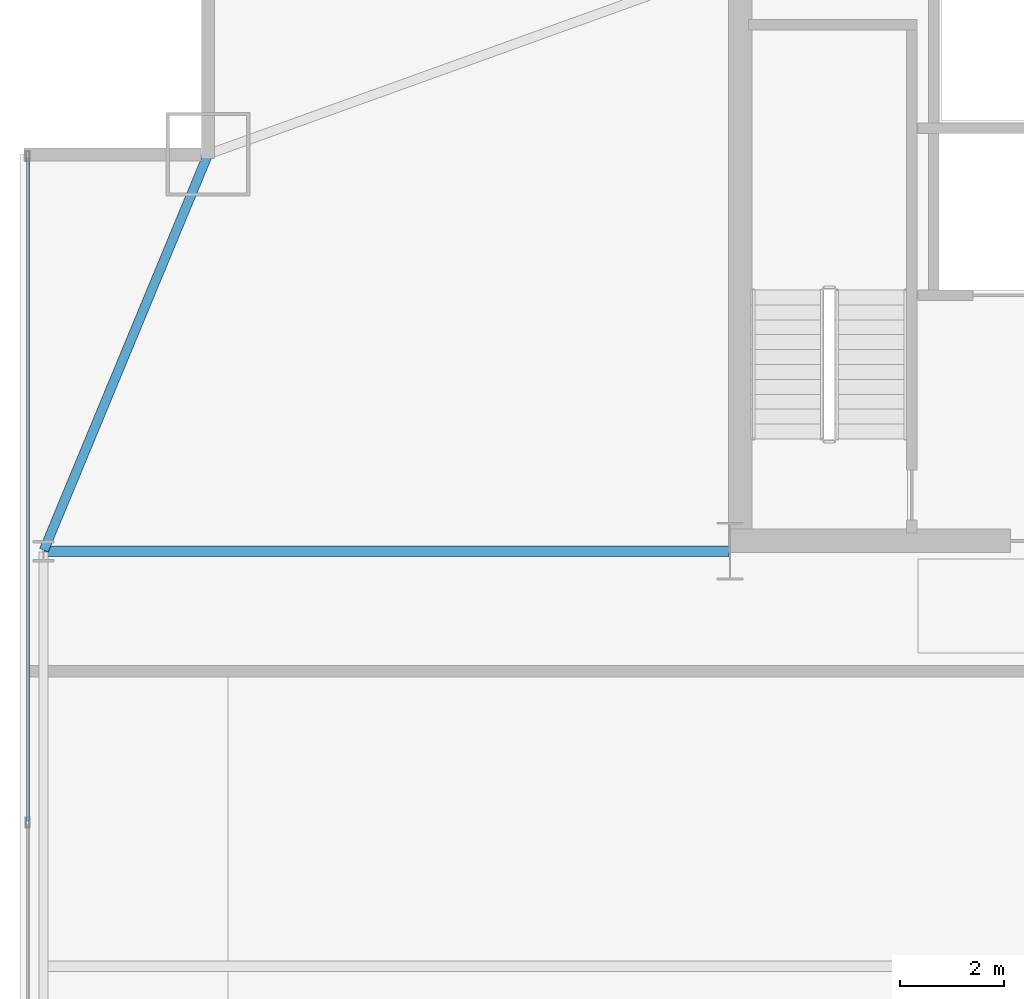
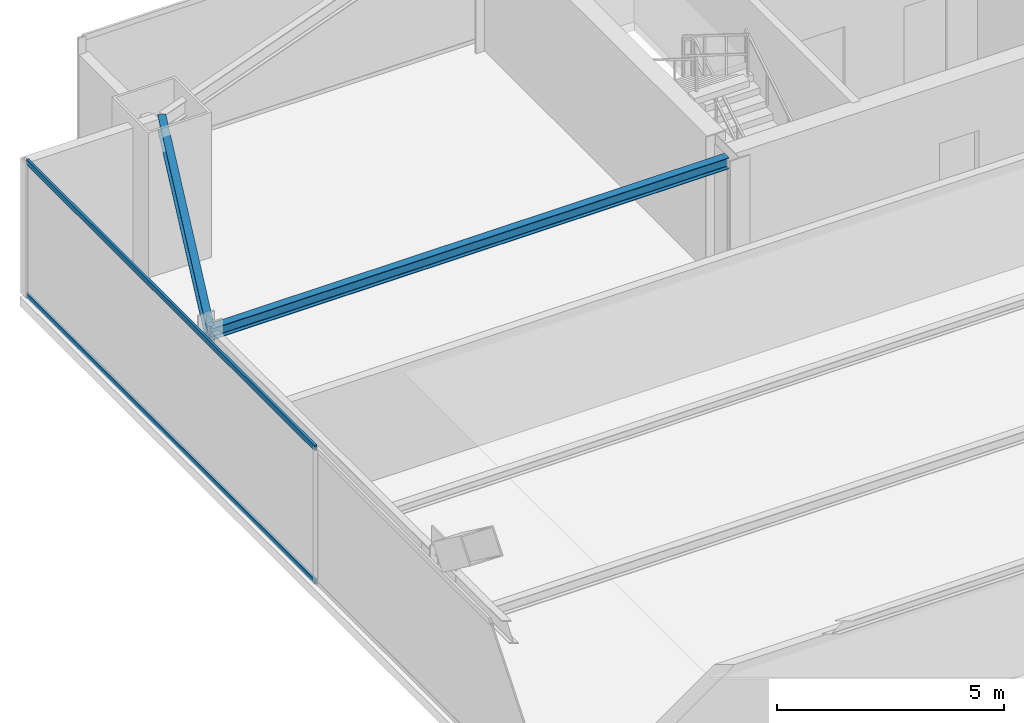
# One storey, part 19 of 34: 2 beams, 2 members, 1 element without a shape of its own.
"""IFC4 building model written with IfcOpenShell, lengths in metres."""

from ifc_helpers import new_model, si_unit, direction, frame, origin, origin_2d, place, context, subcontext, project, spatial, hollow_rectangle, i_section, extrude, source, transform, mapped, material, layer, layer_set, material_profile, profile_set, type_object, type_shapes, element, aggregate, save


model = new_model("IFC4")

# Units and contexts
model_context = context("Model", 3, precision=1e-05, world=origin(), true_north=direction((0.0, 1.0)))
body_context = subcontext(model_context, "Body", "Model", "MODEL_VIEW")
ifc_project = project(units=[si_unit("LENGTHUNIT", "METRE"), si_unit("AREAUNIT", "SQUARE_METRE"), si_unit("VOLUMEUNIT", "CUBIC_METRE"), si_unit("PLANEANGLEUNIT", "RADIAN"), si_unit("MASSUNIT", "GRAM", prefix="KILO")], contexts=[model_context])

# Site, building, storey
site_placement = place(None, origin())
site = spatial("IfcSite", under=ifc_project, at=site_placement, CompositionType="ELEMENT")
building_placement = place(site_placement, origin())
building = spatial("IfcBuilding", under=site, at=building_placement, Name="Varnel Quay Broadcast Tower", CompositionType="ELEMENT")
storey_placement = place(building_placement, frame((0.0, 0.0, 47.10009765625)))
storey = spatial("IfcBuildingStorey", under=building, at=storey_placement, Name="L10", CompositionType="ELEMENT", Elevation=47.10009765625)

# Beams
ifc_material_1 = material(Name="Structural Steel CSA G40.21 350W", Category="steel")
ifc_material_profile_1 = material_profile(ifc_material_1, i_section(OverallWidth=0.180908203125, OverallDepth=0.4169921875, WebThickness=0.010986328125, FlangeThickness=0.018310546875, FilletRadius=0.011962890625, at=origin_2d()), Name="W410X85")
ifc_profile_set_1 = profile_set([ifc_material_profile_1], Name="Structural Steel CSA G40.21 350W")
beam_type_1 = type_object("IfcBeamType", Name="Beam_W410X85", PredefinedType="SPANDREL", material=ifc_profile_set_1)
shared_shape_1 = source(origin(), body_context, "Body", "SweptSolid", [
    extrude(i_section(OverallWidth=0.180908203125, OverallDepth=0.4169921875, WebThickness=0.010986328125, FlangeThickness=0.018310546875, FilletRadius=0.011962890625, at=origin_2d()), origin(), (0.0, 0.0, 1.0), 8.186767578125),
])
type_shapes(beam_type_1, [shared_shape_1])
beam_1_placement = place(storey_placement, frame((2.457763671875, 35.618408203125, 3.44140625), z_axis=(0.382874132092, 0.923800519038, 0.0), x_axis=(-0.923800519038, 0.382874132092, 0.0)))
element("IfcBeam", 1, at=beam_1_placement, inside=storey, type_object=beam_type_1, Name="L10 West Spandrel TC-W3-MC-NW", PredefinedType="SPANDREL", context=body_context, shape_type="MappedRepresentation", body=[
    mapped(shared_shape_1, transform((0.0, 0.0, 0.0), x_axis=(1.0, 0.0, 0.0), y_axis=(0.0, 1.0, 0.0), z_axis=(0.0, 0.0, 1.0), scale=1.0)),
])
ifc_material_profile_2 = material_profile(ifc_material_1, i_section(OverallWidth=0.202880859375, OverallDepth=0.302978515625, WebThickness=0.007568359375, FlangeThickness=0.01318359375, FilletRadius=0.011962890625, at=origin_2d()), Name="W310X60")
ifc_profile_set_2 = profile_set([ifc_material_profile_2], Name="Structural Steel CSA G40.21 350W")
beam_type_2 = type_object("IfcBeamType", Name="Beam_W310X60", PredefinedType="JOIST", material=ifc_profile_set_2)
shared_shape_2 = source(origin(), body_context, "Body", "SweptSolid", [
    extrude(i_section(OverallWidth=0.202880859375, OverallDepth=0.302978515625, WebThickness=0.007568359375, FlangeThickness=0.01318359375, FilletRadius=0.011962890625, at=origin_2d()), origin(), (0.0, 0.0, 1.0), 13.110107421875),
])
type_shapes(beam_type_2, [shared_shape_2])
beam_2_placement = place(storey_placement, frame((2.469970703125, 35.60009765625, 3.498291015625), z_axis=(1.0, 0.0, 0.0), x_axis=(0.0, 1.0, 0.0)))
element("IfcBeam", 2, at=beam_2_placement, inside=storey, type_object=beam_type_2, Name="L10 West Core Tie Joist", PredefinedType="JOIST", context=body_context, shape_type="MappedRepresentation", body=[
    mapped(shared_shape_2, transform((0.0, 0.0, 0.0), x_axis=(1.0, 0.0, 0.0), y_axis=(0.0, 1.0, 0.0), z_axis=(0.0, 0.0, 1.0), scale=1.0)),
])

# Curtain wall, members
ifc_material_2 = material(Name="Anodised Bronze Aluminium 6063-T6", Category="aluminium")
ifc_layer = layer(ifc_material_2, 0.18994140625, Name="Anodised Bronze Aluminium 6063-T6")
ifc_layer_set = layer_set([ifc_layer], Name="Anodised Bronze Aluminium 6063-T6")
curtain_wall_type = type_object("IfcCurtainWallType", Name="CW_LowerTower", PredefinedType="NOTDEFINED", material=ifc_layer_set)
curtain_wall_placement = place(storey_placement, origin())
curtain_wall = element("IfcCurtainWall", 3, at=curtain_wall_placement, inside=storey, type_object=curtain_wall_type, Name="L10 West Unitised Curtain Wall", PredefinedType="NOTDEFINED")
ifc_material_profile_3 = material_profile(ifc_material_2, hollow_rectangle(XDim=0.06005859375, YDim=0.14501953125, WallThickness=0.00341796875, at=origin_2d()), Name="ALU60X145X3.5")
ifc_profile_set_3 = profile_set([ifc_material_profile_3], Name="Anodised Bronze Aluminium 6063-T6")
member_type = type_object("IfcMemberType", Name="Tran_CWS-02", PredefinedType="USERDEFINED", material=ifc_profile_set_3)
shared_shape_3 = source(origin(), body_context, "Body", "SweptSolid", [
    extrude(hollow_rectangle(XDim=0.06005859375, YDim=0.14501953125, WallThickness=0.00341796875, at=origin_2d()), origin(), (0.0, 0.0, 1.0), 12.69482421875),
])
type_shapes(member_type, [shared_shape_3])
member_1_placement = place(storey_placement, frame((2.14990234375, 30.43505859375, 0.02978515625), z_axis=(0.0, 1.0, 0.0), x_axis=(-1.0, 0.0, 0.0)))
member_1 = element("IfcMember", 4, at=member_1_placement, type_object=member_type, Name="CWS-02 transom 3.1", ObjectType="TRANSOM", PredefinedType="USERDEFINED", context=body_context, shape_type="MappedRepresentation", body=[
    mapped(shared_shape_3, transform((0.0, 0.0, 0.0), x_axis=(1.0, 0.0, 0.0), y_axis=(0.0, 1.0, 0.0), z_axis=(0.0, 0.0, 1.0), scale=1.0)),
])
member_2_placement = place(storey_placement, frame((2.14990234375, 30.43505859375, 3.619873046875), z_axis=(0.0, 1.0, 0.0), x_axis=(-1.0, 0.0, 0.0)))
member_2 = element("IfcMember", 5, at=member_2_placement, type_object=member_type, Name="CWS-02 transom 3.2", ObjectType="TRANSOM", PredefinedType="USERDEFINED", context=body_context, shape_type="MappedRepresentation", body=[
    mapped(shared_shape_3, transform((0.0, 0.0, 0.0), x_axis=(1.0, 0.0, 0.0), y_axis=(0.0, 1.0, 0.0), z_axis=(0.0, 0.0, 1.0), scale=1.0)),
])
aggregate(curtain_wall, [member_1, member_2])

save(model, "model.ifc")
